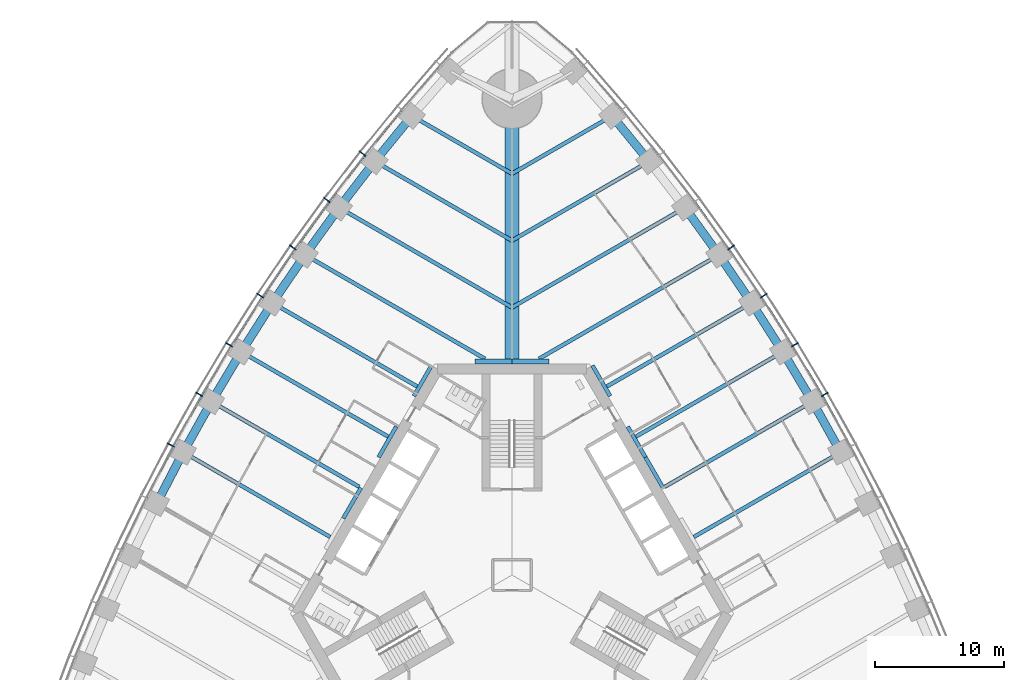
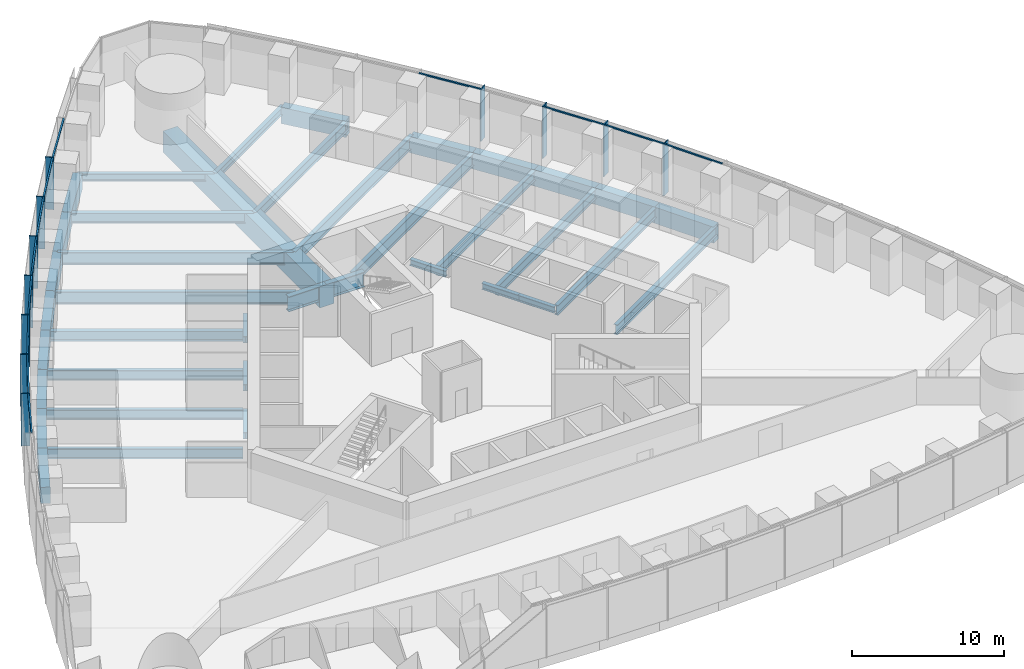
# One storey, part 4 of 18: 39 beams, 23 members, 2 elements without a shape of their own.
"""IFC4 building model written with IfcOpenShell, lengths in metres."""

from ifc_helpers import new_model, si_unit, direction, frame, origin, origin_2d, place, context, subcontext, project, spatial, rectangle, i_section, extrude, material, material_profile, profile_set, type_object, element, aggregate, save


model = new_model("IFC4")

# Units and contexts
model_context = context("Model", 3, precision=1e-05, world=origin(), true_north=direction((0.0, 1.0)))
body_context = subcontext(model_context, "Body", "Model", "MODEL_VIEW")
ifc_project = project(units=[si_unit("LENGTHUNIT", "METRE"), si_unit("AREAUNIT", "SQUARE_METRE"), si_unit("VOLUMEUNIT", "CUBIC_METRE"), si_unit("PLANEANGLEUNIT", "RADIAN"), si_unit("MASSUNIT", "GRAM", prefix="KILO")], contexts=[model_context])

# Site, building, storey
site_placement = place(None, origin())
site = spatial("IfcSite", under=ifc_project, at=site_placement, CompositionType="ELEMENT")
building_placement = place(site_placement, origin())
building = spatial("IfcBuilding", under=site, at=building_placement, Name="Trefoil Bronze Tower", CompositionType="ELEMENT")
storey_placement = place(building_placement, frame((0.0, 0.0, 33.300048828125)))
storey = spatial("IfcBuildingStorey", under=building, at=storey_placement, Name="L07", CompositionType="ELEMENT", Elevation=33.300048828125)

# Curtain wall, members
ifc_material_1 = material(Name="Tinted solar-control glass", Category="glass")
curtain_wall_type = type_object("IfcCurtainWallType", Name="Bronze office curtain wall", PredefinedType="USERDEFINED", material=ifc_material_1)
curtain_wall_1_placement = place(storey_placement, origin())
curtain_wall_1 = element("IfcCurtainWall", 1, at=curtain_wall_1_placement, inside=storey, type_object=curtain_wall_type, Name="CW-A L07 F2", ObjectType="CURTAIN WALL", PredefinedType="USERDEFINED")
ifc_material_2 = material(Name="Bronze-finish aluminium", Category="aluminium")
ifc_material_profile_1 = material_profile(ifc_material_2, rectangle(XDim=0.60009765625, YDim=0.080078125, at=origin_2d()), Name="CW-A mullion")
ifc_profile_set_1 = profile_set([ifc_material_profile_1], Name="Bronze-finish aluminium")
member_type_1 = type_object("IfcMemberType", Name="Bronze office curtain wall mullion", PredefinedType="MULLION", material=ifc_profile_set_1)
member_1_placement = place(storey_placement, frame((24.291015625, 14.0244140625, 0.0), z_axis=(0.0, 0.0, 1.0), x_axis=(-0.866025403784, -0.5, 0.0)))
member_1 = element("IfcMember", 2, at=member_1_placement, type_object=member_type_1, Name="CW-A L07 F2 mullion 9", PredefinedType="MULLION", context=body_context, shape_type="SweptSolid", body=[
    extrude(rectangle(XDim=0.60009765625, YDim=0.080078125, at=origin_2d()), origin(), (0.0, 0.0, 1.0), 4.179931640625),
])
member_2_placement = place(storey_placement, frame((21.97998046875, 17.896240234375, 0.0), z_axis=(0.0, 0.0, 1.0), x_axis=(-0.851149783004, -0.524922896141, 0.0)))
member_2 = element("IfcMember", 3, at=member_2_placement, type_object=member_type_1, Name="CW-A L07 F2 mullion 10", PredefinedType="MULLION", context=body_context, shape_type="SweptSolid", body=[
    extrude(rectangle(XDim=0.60009765625, YDim=0.080078125, at=origin_2d()), origin(), (0.0, 0.0, 1.0), 4.179931640625),
])
member_3_placement = place(storey_placement, frame((19.555419921875, 21.70263671875, 0.0), z_axis=(0.0, 0.0, 1.0), x_axis=(-0.835543651684, -0.549424067665, 0.0)))
member_3 = element("IfcMember", 4, at=member_3_placement, type_object=member_type_1, Name="CW-A L07 F2 mullion 11", PredefinedType="MULLION", context=body_context, shape_type="SweptSolid", body=[
    extrude(rectangle(XDim=0.60009765625, YDim=0.080078125, at=origin_2d()), origin(), (0.0, 0.0, 1.0), 4.179931640625),
])
member_4_placement = place(storey_placement, frame((17.01708984375, 25.443359375, 0.0), z_axis=(0.0, 0.0, 1.0), x_axis=(-0.819204207116, -0.573501932903, 0.0)))
member_4 = element("IfcMember", 5, at=member_4_placement, type_object=member_type_1, Name="CW-A L07 F2 mullion 12", PredefinedType="MULLION", context=body_context, shape_type="SweptSolid", body=[
    extrude(rectangle(XDim=0.60009765625, YDim=0.080078125, at=origin_2d()), origin(), (0.0, 0.0, 1.0), 4.179931640625),
])

curtain_wall_2_placement = place(storey_placement, origin())
curtain_wall_2 = element("IfcCurtainWall", 6, at=curtain_wall_2_placement, inside=storey, type_object=curtain_wall_type, Name="CW-A L07 F3", ObjectType="CURTAIN WALL", PredefinedType="USERDEFINED")
member_5_placement = place(storey_placement, frame((-11.595458984375, 32.7255859375, 0.0), z_axis=(0.0, 0.0, 1.0), x_axis=(0.784304615744, -0.620375910011, 0.0)))
member_5 = element("IfcMember", 7, at=member_5_placement, type_object=member_type_1, Name="CW-A L07 F3 mullion 4", PredefinedType="MULLION", context=body_context, shape_type="SweptSolid", body=[
    extrude(rectangle(XDim=0.60009765625, YDim=0.080078125, at=origin_2d()), origin(), (0.0, 0.0, 1.0), 4.179931640625),
])
member_6_placement = place(storey_placement, frame((-14.364013671875, 29.117919921875, 0.0), z_axis=(0.0, 0.0, 1.0), x_axis=(0.802126748469, -0.59715381552, 0.0)))
member_6 = element("IfcMember", 8, at=member_6_placement, type_object=member_type_1, Name="CW-A L07 F3 mullion 5", PredefinedType="MULLION", context=body_context, shape_type="SweptSolid", body=[
    extrude(rectangle(XDim=0.60009765625, YDim=0.080078125, at=origin_2d()), origin(), (0.0, 0.0, 1.0), 4.179931640625),
])
member_7_placement = place(storey_placement, frame((-17.01708984375, 25.443359375, 0.0), z_axis=(0.0, 0.0, 1.0), x_axis=(0.819204207116, -0.573501932903, 0.0)))
member_7 = element("IfcMember", 9, at=member_7_placement, type_object=member_type_1, Name="CW-A L07 F3 mullion 6", PredefinedType="MULLION", context=body_context, shape_type="SweptSolid", body=[
    extrude(rectangle(XDim=0.60009765625, YDim=0.080078125, at=origin_2d()), origin(), (0.0, 0.0, 1.0), 4.179931640625),
])
member_8_placement = place(storey_placement, frame((-19.555419921875, 21.70263671875, 0.0), z_axis=(0.0, 0.0, 1.0), x_axis=(0.835543651684, -0.549424067665, 0.0)))
member_8 = element("IfcMember", 10, at=member_8_placement, type_object=member_type_1, Name="CW-A L07 F3 mullion 7", PredefinedType="MULLION", context=body_context, shape_type="SweptSolid", body=[
    extrude(rectangle(XDim=0.60009765625, YDim=0.080078125, at=origin_2d()), origin(), (0.0, 0.0, 1.0), 4.179931640625),
])
member_9_placement = place(storey_placement, frame((-21.97998046875, 17.896240234375, 0.0), z_axis=(0.0, 0.0, 1.0), x_axis=(0.851149783004, -0.524922896141, 0.0)))
member_9 = element("IfcMember", 11, at=member_9_placement, type_object=member_type_1, Name="CW-A L07 F3 mullion 8", PredefinedType="MULLION", context=body_context, shape_type="SweptSolid", body=[
    extrude(rectangle(XDim=0.60009765625, YDim=0.080078125, at=origin_2d()), origin(), (0.0, 0.0, 1.0), 4.179931640625),
])
member_10_placement = place(storey_placement, frame((-24.291015625, 14.0244140625, 0.0), z_axis=(0.0, 0.0, 1.0), x_axis=(0.866025403784, -0.5, 0.0)))
member_10 = element("IfcMember", 12, at=member_10_placement, type_object=member_type_1, Name="CW-A L07 F3 mullion 9", PredefinedType="MULLION", context=body_context, shape_type="SweptSolid", body=[
    extrude(rectangle(XDim=0.60009765625, YDim=0.080078125, at=origin_2d()), origin(), (0.0, 0.0, 1.0), 4.179931640625),
])
member_11_placement = place(storey_placement, frame((-26.488525390625, 10.0869140625, 0.0), z_axis=(0.0, 0.0, 1.0), x_axis=(0.880171454588, -0.474655886437, 0.0)))
member_11 = element("IfcMember", 13, at=member_11_placement, type_object=member_type_1, Name="CW-A L07 F3 mullion 10", PredefinedType="MULLION", context=body_context, shape_type="SweptSolid", body=[
    extrude(rectangle(XDim=0.60009765625, YDim=0.080078125, at=origin_2d()), origin(), (0.0, 0.0, 1.0), 4.179931640625),
])

# Member
ifc_material_3 = material(Name="Bronze-finish aluminium", Category="aluminium")
ifc_material_profile_2 = material_profile(ifc_material_3, rectangle(XDim=0.1201171875, YDim=0.10009765625, at=origin_2d()), Name="CW-A transom")
ifc_profile_set_2 = profile_set([ifc_material_profile_2], Name="Bronze-finish aluminium")
member_type_2 = type_object("IfcMemberType", Name="Bronze office curtain wall transom", PredefinedType="USERDEFINED", material=ifc_profile_set_2)
member_12_placement = place(storey_placement, frame((26.29248046875, 10.0283203125, 4.1298828125), z_axis=(-0.487400435348, 0.873178570295, 0.0), x_axis=(-0.873178570295, -0.487400435348, 0.0)))
member_12 = element("IfcMember", 14, at=member_12_placement, type_object=member_type_2, Name="CW-A L07 F2 transom 8", ObjectType="TRANSOM", PredefinedType="USERDEFINED", context=body_context, shape_type="SweptSolid", body=[
    extrude(rectangle(XDim=0.1201171875, YDim=0.10009765625, at=origin_2d()), origin(), (0.0, 0.0, 1.0), 4.42041015625),
])

member_13_placement = place(storey_placement, frame((24.096435546875, 13.9599609375, 4.1298828125), z_axis=(-0.512536988879, 0.858665147209, 0.0), x_axis=(-0.858665147209, -0.512536988879, 0.0)))
member_13 = element("IfcMember", 15, at=member_13_placement, type_object=member_type_2, Name="CW-A L07 F2 transom 9", ObjectType="TRANSOM", PredefinedType="USERDEFINED", context=body_context, shape_type="SweptSolid", body=[
    extrude(rectangle(XDim=0.1201171875, YDim=0.10009765625, at=origin_2d()), origin(), (0.0, 0.0, 1.0), 4.42041015625),
])

member_14_placement = place(storey_placement, frame((21.787353515625, 17.826171875, 4.1298828125), z_axis=(-0.537196807268, 0.843456928515, 0.0), x_axis=(-0.843456928515, -0.537196807268, 0.0)))
member_14 = element("IfcMember", 16, at=member_14_placement, type_object=member_type_2, Name="CW-A L07 F2 transom 10", ObjectType="TRANSOM", PredefinedType="USERDEFINED", context=body_context, shape_type="SweptSolid", body=[
    extrude(rectangle(XDim=0.1201171875, YDim=0.10009765625, at=origin_2d()), origin(), (0.0, 0.0, 1.0), 4.42431640625),
])

member_15_placement = place(storey_placement, frame((16.828857421875, 25.3623046875, 4.1298828125), z_axis=(-0.585378207433, 0.81076035563, 0.0), x_axis=(-0.81076035563, -0.585378207433, 0.0)))
member_15 = element("IfcMember", 17, at=member_15_placement, type_object=member_type_2, Name="CW-A L07 F2 transom 12", ObjectType="TRANSOM", PredefinedType="USERDEFINED", context=body_context, shape_type="SweptSolid", body=[
    extrude(rectangle(XDim=0.1201171875, YDim=0.10009765625, at=origin_2d()), origin(), (0.0, 0.0, 1.0), 4.443359375),
])

aggregate(curtain_wall_1, [member_1, member_2, member_3, member_4, member_12, member_13, member_14, member_15])

member_16_placement = place(storey_placement, frame((-8.582763671875, 36.10498046875, 4.1298828125), z_axis=(-0.631835540201, -0.775102477185, 0.0), x_axis=(0.775102477185, -0.631835540201, 0.0)))
member_16 = element("IfcMember", 18, at=member_16_placement, type_object=member_type_2, Name="CW-A L07 F3 transom 3", ObjectType="TRANSOM", PredefinedType="USERDEFINED", context=body_context, shape_type="SweptSolid", body=[
    extrude(rectangle(XDim=0.1201171875, YDim=0.10009765625, at=origin_2d()), origin(), (0.0, 0.0, 1.0), 4.478271484375),
])

member_17_placement = place(storey_placement, frame((-11.4638671875, 32.568603515625, 4.1298828125), z_axis=(-0.608829203216, -0.793301330713, 0.0), x_axis=(0.793301330713, -0.608829203216, 0.0)))
member_17 = element("IfcMember", 19, at=member_17_placement, type_object=member_type_2, Name="CW-A L07 F3 transom 4", ObjectType="TRANSOM", PredefinedType="USERDEFINED", context=body_context, shape_type="SweptSolid", body=[
    extrude(rectangle(XDim=0.1201171875, YDim=0.10009765625, at=origin_2d()), origin(), (0.0, 0.0, 1.0), 4.458740234375),
])

member_18_placement = place(storey_placement, frame((-14.227783203125, 28.96484375, 4.1298828125), z_axis=(-0.585378207433, -0.81076035563, 0.0), x_axis=(0.81076035563, -0.585378207433, 0.0)))
member_18 = element("IfcMember", 20, at=member_18_placement, type_object=member_type_2, Name="CW-A L07 F3 transom 5", ObjectType="TRANSOM", PredefinedType="USERDEFINED", context=body_context, shape_type="SweptSolid", body=[
    extrude(rectangle(XDim=0.1201171875, YDim=0.10009765625, at=origin_2d()), origin(), (0.0, 0.0, 1.0), 4.443359375),
])

member_19_placement = place(storey_placement, frame((-16.87646484375, 25.29443359375, 4.1298828125), z_axis=(-0.561508153923, -0.827471203775, 0.0), x_axis=(0.827471203775, -0.561508153923, 0.0)))
member_19 = element("IfcMember", 21, at=member_19_placement, type_object=member_type_2, Name="CW-A L07 F3 transom 6", ObjectType="TRANSOM", PredefinedType="USERDEFINED", context=body_context, shape_type="SweptSolid", body=[
    extrude(rectangle(XDim=0.1201171875, YDim=0.10009765625, at=origin_2d()), origin(), (0.0, 0.0, 1.0), 4.431884765625),
])

member_20_placement = place(storey_placement, frame((-19.41064453125, 21.557861328125, 4.1298828125), z_axis=(-0.537196807268, -0.843456928515, 0.0), x_axis=(0.843456928515, -0.537196807268, 0.0)))
member_20 = element("IfcMember", 22, at=member_20_placement, type_object=member_type_2, Name="CW-A L07 F3 transom 7", ObjectType="TRANSOM", PredefinedType="USERDEFINED", context=body_context, shape_type="SweptSolid", body=[
    extrude(rectangle(XDim=0.1201171875, YDim=0.10009765625, at=origin_2d()), origin(), (0.0, 0.0, 1.0), 4.42431640625),
])

member_21_placement = place(storey_placement, frame((-21.830810546875, 17.755615234375, 4.1298828125), z_axis=(-0.512536988879, -0.858665147209, 0.0), x_axis=(0.858665147209, -0.512536988879, 0.0)))
member_21 = element("IfcMember", 23, at=member_21_placement, type_object=member_type_2, Name="CW-A L07 F3 transom 8", ObjectType="TRANSOM", PredefinedType="USERDEFINED", context=body_context, shape_type="SweptSolid", body=[
    extrude(rectangle(XDim=0.1201171875, YDim=0.10009765625, at=origin_2d()), origin(), (0.0, 0.0, 1.0), 4.42041015625),
])

member_22_placement = place(storey_placement, frame((-24.137939453125, 13.88818359375, 4.1298828125), z_axis=(-0.487400435348, -0.873178570295, 0.0), x_axis=(0.873178570295, -0.487400435348, 0.0)))
member_22 = element("IfcMember", 24, at=member_22_placement, type_object=member_type_2, Name="CW-A L07 F3 transom 9", ObjectType="TRANSOM", PredefinedType="USERDEFINED", context=body_context, shape_type="SweptSolid", body=[
    extrude(rectangle(XDim=0.1201171875, YDim=0.10009765625, at=origin_2d()), origin(), (0.0, 0.0, 1.0), 4.42041015625),
])

member_23_placement = place(storey_placement, frame((-26.331787109375, 9.955322265625, 4.1298828125), z_axis=(-0.461809621225, -0.886979071762, 0.0), x_axis=(0.886979071762, -0.461809621225, 0.0)))
member_23 = element("IfcMember", 25, at=member_23_placement, type_object=member_type_2, Name="CW-A L07 F3 transom 10", ObjectType="TRANSOM", PredefinedType="USERDEFINED", context=body_context, shape_type="SweptSolid", body=[
    extrude(rectangle(XDim=0.1201171875, YDim=0.10009765625, at=origin_2d()), origin(), (0.0, 0.0, 1.0), 4.42431640625),
])

aggregate(curtain_wall_2, [member_5, member_6, member_7, member_8, member_9, member_10, member_11, member_16, member_17, member_18, member_19, member_20, member_21, member_22, member_23])

# Beams
ifc_material_4 = material(Name="Steel C355", Category="steel")
ifc_material_profile_3 = material_profile(ifc_material_4, i_section(OverallWidth=0.300048828125, OverallDepth=0.5, WebThickness=0.014404296875, FlangeThickness=0.028076171875, FilletRadius=0.027099609375, at=origin_2d()), Name="HEB 500")
ifc_profile_set_3 = profile_set([ifc_material_profile_3], Name="Steel C355")
beam_type_1 = type_object("IfcBeamType", Name="Core seat beam HEB 500", PredefinedType="BEAM", material=ifc_profile_set_3)
for number, where, z_axis, x_axis, name in (
    (26, (11.734619140625, 6.77490234375, -0.449951171875), (-0.499969057507, 0.866043267704, 0.0), (-0.866043267704, -0.499969057507, 0.0), "Core seat beam F2/+0 L07"),
    (27, (10.363525390625, 9.14990234375, -0.449951171875), (-0.500035825175, 0.866004719122, 0.0), (-0.866004719122, -0.500035825175, 0.0), "Core seat beam F2/+1 L07"),
    (28, (7.62109375, 13.89990234375, -0.449951171875), (-0.500035825175, 0.866004719122, 0.0), (-0.866004719122, -0.500035825175, 0.0), "Core seat beam F2/+2 L07"),
    (29, (-6.249755859375, 16.27490234375, -0.449951171875), (-0.500035825175, -0.866004719122, 0.0), (0.866004719122, -0.500035825175, 0.0), "Core seat beam F3/-2 L07"),
    (30, (-8.9921875, 11.52490234375, -0.449951171875), (-0.500035825175, -0.866004719122, 0.0), (0.866004719122, -0.500035825175, 0.0), "Core seat beam F3/-1 L07"),
    (31, (-11.734619140625, 6.77490234375, -0.449951171875), (-0.500035825175, -0.866004719122, 0.0), (0.866004719122, -0.500035825175, 0.0), "Core seat beam F3/+0 L07"),
):
    element("IfcBeam", number, at=place(storey_placement, frame(where, z_axis=z_axis, x_axis=x_axis)), inside=storey, type_object=beam_type_1, Name=name, PredefinedType="BEAM", context=body_context, shape_type="SweptSolid", body=[
        extrude(i_section(OverallWidth=0.300048828125, OverallDepth=0.5, WebThickness=0.014404296875, FlangeThickness=0.028076171875, FilletRadius=0.027099609375, at=origin_2d()), origin(), (0.0, 0.0, 1.0), 2.742431640625),
    ])
ifc_material_5 = material(Name="Steel C355", Category="steel")
ifc_material_profile_4 = material_profile(ifc_material_5, i_section(OverallWidth=0.39990234375, OverallDepth=1.199951171875, WebThickness=0.02001953125, FlangeThickness=0.0400390625, FilletRadius=0.010009765625, at=origin_2d()), Name="WPG 1200")
ifc_profile_set_4 = profile_set([ifc_material_profile_4], Name="Steel C355")
beam_type_2 = type_object("IfcBeamType", Name="Core seat beam WPG 1200", PredefinedType="BEAM", material=ifc_profile_set_4)
for number, where, z_axis, x_axis, name in (
    (32, (2.88671875, 16.60009765625, -0.800048828125), (-1.0, 0.0, 0.0), (0.0, -1.0, 0.0), "Core seat beam F2/+3 L07"),
    (33, (0.0, 16.60009765625, -0.800048828125), (-1.0, 0.0, 0.0), (0.0, -1.0, 0.0), "Core seat beam F3/-3 L07"),
):
    element("IfcBeam", number, at=place(storey_placement, frame(where, z_axis=z_axis, x_axis=x_axis)), inside=storey, type_object=beam_type_2, Name=name, PredefinedType="BEAM", context=body_context, shape_type="SweptSolid", body=[
        extrude(i_section(OverallWidth=0.39990234375, OverallDepth=1.199951171875, WebThickness=0.02001953125, FlangeThickness=0.0400390625, FilletRadius=0.010009765625, at=origin_2d()), origin(), (0.0, 0.0, 1.0), 2.88671875),
    ])
ifc_material_6 = material(Name="Concrete B80", Category="concrete")
ifc_material_profile_5 = material_profile(ifc_material_6, rectangle(XDim=1.10009765625, YDim=1.699951171875, at=origin_2d()), Name="RC 1100x1700")
ifc_profile_set_5 = profile_set([ifc_material_profile_5], Name="Concrete B80")
beam_type_3 = type_object("IfcBeamType", Name="Corner girder RC 1100x1700", PredefinedType="BEAM", material=ifc_profile_set_5)
beam_1_placement = place(storey_placement, frame((0.0, 16.39990234375, -1.050048828125), z_axis=(0.0, 1.0, 0.0), x_axis=(-1.0, 0.0, 0.0)))
element("IfcBeam", 34, at=beam_1_placement, inside=storey, type_object=beam_type_3, Name="Corner girder K2 L07", PredefinedType="BEAM", context=body_context, shape_type="SweptSolid", body=[
    extrude(rectangle(XDim=1.10009765625, YDim=1.699951171875, at=origin_2d()), origin(), (0.0, 0.0, 1.0), 20.60009765625),
])
ifc_material_7 = material(Name="Steel C355", Category="steel")
ifc_material_profile_6 = material_profile(ifc_material_7, i_section(OverallWidth=0.300048828125, OverallDepth=0.590087890625, WebThickness=0.012939453125, FlangeThickness=0.02490234375, FilletRadius=0.027099609375, at=origin_2d()), Name="HEA 600")
ifc_profile_set_6 = profile_set([ifc_material_profile_6], Name="Steel C355")
beam_type_4 = type_object("IfcBeamType", Name="Floor beam HEA 600", PredefinedType="BEAM", material=ifc_profile_set_6)
for number, where, z_axis, x_axis, name in (
    (35, (7.7763671875, 35.666748046875, -0.4951171875), (-0.866022587327, -0.500004878216, 0.0), (0.500004878216, -0.866022587327, 0.0), "Floor beam F2/+6 L07"),
    (36, (-7.7763671875, 35.666748046875, -0.4951171875), (0.866022587327, -0.500004878216, 0.0), (0.500004878216, 0.866022587327, 0.0), "Floor beam F3/-6 L07"),
):
    element("IfcBeam", number, at=place(storey_placement, frame(where, z_axis=z_axis, x_axis=x_axis)), inside=storey, type_object=beam_type_4, Name=name, PredefinedType="BEAM", context=body_context, shape_type="SweptSolid", body=[
        extrude(i_section(OverallWidth=0.300048828125, OverallDepth=0.590087890625, WebThickness=0.012939453125, FlangeThickness=0.02490234375, FilletRadius=0.027099609375, at=origin_2d()), origin(), (0.0, 0.0, 1.0), 8.9794921875),
    ])
ifc_material_8 = material(Name="Steel C355", Category="steel")
ifc_material_profile_7 = material_profile(ifc_material_8, i_section(OverallWidth=0.300048828125, OverallDepth=1.0, WebThickness=0.01904296875, FlangeThickness=0.035888671875, FilletRadius=0.030029296875, at=origin_2d()), Name="HEB 1000")
ifc_profile_set_7 = profile_set([ifc_material_profile_7], Name="Steel C355")
beam_type_5 = type_object("IfcBeamType", Name="Floor beam HEB 1000", PredefinedType="BEAM", material=ifc_profile_set_7)
for number, where, z_axis, x_axis, name in (
    (37, (13.42578125, 28.5361328125, -0.699951171875), (-0.866022989816, -0.500004181093, 0.0), (0.500004181093, -0.866022989816, 0.0), "Floor beam F2/+4 L07"),
    (38, (-13.42578125, 28.5361328125, -0.699951171875), (0.866022989816, -0.500004181093, 0.0), (0.500004181093, 0.866022989816, 0.0), "Floor beam F3/-4 L07"),
):
    element("IfcBeam", number, at=place(storey_placement, frame(where, z_axis=z_axis, x_axis=x_axis)), inside=storey, type_object=beam_type_5, Name=name, PredefinedType="BEAM", context=body_context, shape_type="SweptSolid", body=[
        extrude(i_section(OverallWidth=0.300048828125, OverallDepth=1.0, WebThickness=0.01904296875, FlangeThickness=0.035888671875, FilletRadius=0.030029296875, at=origin_2d()), origin(), (0.0, 0.0, 1.0), 15.502685546875),
    ])
ifc_material_9 = material(Name="Steel C355", Category="steel")
ifc_material_profile_8 = material_profile(ifc_material_9, i_section(OverallWidth=0.300048828125, OverallDepth=0.800048828125, WebThickness=0.017578125, FlangeThickness=0.032958984375, FilletRadius=0.030029296875, at=origin_2d()), Name="HEB 800")
ifc_profile_set_8 = profile_set([ifc_material_profile_8], Name="Steel C355")
beam_type_6 = type_object("IfcBeamType", Name="Floor beam HEB 800", PredefinedType="BEAM", material=ifc_profile_set_8)
beam_2_placement = place(storey_placement, frame((25.531494140625, 9.54443359375, -0.60009765625), z_axis=(-0.866027071639, -0.499997111179, 0.0), x_axis=(0.499997111179, -0.866027071639, 0.0)))
element("IfcBeam", 39, at=beam_2_placement, inside=storey, type_object=beam_type_6, Name="Floor beam F2/-1 L07", PredefinedType="BEAM", context=body_context, shape_type="SweptSolid", body=[
    extrude(i_section(OverallWidth=0.300048828125, OverallDepth=0.800048828125, WebThickness=0.017578125, FlangeThickness=0.032958984375, FilletRadius=0.030029296875, at=origin_2d()), origin(), (0.0, 0.0, 1.0), 13.18310546875),
])
beam_3_placement = place(storey_placement, frame((23.33837890625, 13.474365234375, -0.60009765625), z_axis=(-0.866031233401, -0.499989902672, 0.0), x_axis=(0.499989902672, -0.866031233401, 0.0)))
element("IfcBeam", 40, at=beam_3_placement, inside=storey, type_object=beam_type_6, Name="Floor beam F2/+0 L07", PredefinedType="BEAM", context=body_context, shape_type="SweptSolid", body=[
    extrude(i_section(OverallWidth=0.300048828125, OverallDepth=0.800048828125, WebThickness=0.017578125, FlangeThickness=0.032958984375, FilletRadius=0.030029296875, at=origin_2d()), origin(), (0.0, 0.0, 1.0), 13.248779296875),
])
beam_4_placement = place(storey_placement, frame((21.031494140625, 17.338623046875, -0.60009765625), z_axis=(-0.866027071639, -0.499997111179, 0.0), x_axis=(0.499997111179, -0.866027071639, 0.0)))
element("IfcBeam", 41, at=beam_4_placement, inside=storey, type_object=beam_type_6, Name="Floor beam F2/+1 L07", PredefinedType="BEAM", context=body_context, shape_type="SweptSolid", body=[
    extrude(i_section(OverallWidth=0.300048828125, OverallDepth=0.800048828125, WebThickness=0.017578125, FlangeThickness=0.032958984375, FilletRadius=0.030029296875, at=origin_2d()), origin(), (0.0, 0.0, 1.0), 13.18310546875),
])
beam_5_placement = place(storey_placement, frame((18.61083984375, 21.13720703125, -0.60009765625), z_axis=(-0.866030615021, -0.499990973765, 0.0), x_axis=(0.499990973765, -0.866030615021, 0.0)))
element("IfcBeam", 42, at=beam_5_placement, inside=storey, type_object=beam_type_6, Name="Floor beam F2/+2 L07", PredefinedType="BEAM", context=body_context, shape_type="SweptSolid", body=[
    extrude(i_section(OverallWidth=0.300048828125, OverallDepth=0.800048828125, WebThickness=0.017578125, FlangeThickness=0.032958984375, FilletRadius=0.030029296875, at=origin_2d()), origin(), (0.0, 0.0, 1.0), 12.986083984375),
])
for number, where, z_axis, x_axis, name in (
    (43, (10.659912109375, 32.13525390625, -0.60009765625), (-0.866024070878, -0.500002308654, 0.0), (0.500002308654, -0.866024070878, 0.0), "Floor beam F2/+5 L07"),
    (44, (-10.659912109375, 32.13525390625, -0.60009765625), (0.866024070878, -0.500002308654, 0.0), (0.500002308654, 0.866024070878, 0.0), "Floor beam F3/-5 L07"),
):
    element("IfcBeam", number, at=place(storey_placement, frame(where, z_axis=z_axis, x_axis=x_axis)), inside=storey, type_object=beam_type_6, Name=name, PredefinedType="BEAM", context=body_context, shape_type="SweptSolid", body=[
        extrude(i_section(OverallWidth=0.300048828125, OverallDepth=0.800048828125, WebThickness=0.017578125, FlangeThickness=0.032958984375, FilletRadius=0.030029296875, at=origin_2d()), origin(), (0.0, 0.0, 1.0), 12.30908203125),
    ])
beam_6_placement = place(storey_placement, frame((-18.61083984375, 21.13720703125, -0.60009765625), z_axis=(0.866030615021, -0.499990973765, 0.0), x_axis=(0.499990973765, 0.866030615021, 0.0)))
element("IfcBeam", 45, at=beam_6_placement, inside=storey, type_object=beam_type_6, Name="Floor beam F3/-2 L07", PredefinedType="BEAM", context=body_context, shape_type="SweptSolid", body=[
    extrude(i_section(OverallWidth=0.300048828125, OverallDepth=0.800048828125, WebThickness=0.017578125, FlangeThickness=0.032958984375, FilletRadius=0.030029296875, at=origin_2d()), origin(), (0.0, 0.0, 1.0), 12.986083984375),
])
beam_7_placement = place(storey_placement, frame((-21.031494140625, 17.338623046875, -0.60009765625), z_axis=(0.866027071639, -0.499997111179, 0.0), x_axis=(0.499997111179, 0.866027071639, 0.0)))
element("IfcBeam", 46, at=beam_7_placement, inside=storey, type_object=beam_type_6, Name="Floor beam F3/-1 L07", PredefinedType="BEAM", context=body_context, shape_type="SweptSolid", body=[
    extrude(i_section(OverallWidth=0.300048828125, OverallDepth=0.800048828125, WebThickness=0.017578125, FlangeThickness=0.032958984375, FilletRadius=0.030029296875, at=origin_2d()), origin(), (0.0, 0.0, 1.0), 13.18310546875),
])
beam_8_placement = place(storey_placement, frame((-23.33837890625, 13.474365234375, -0.60009765625), z_axis=(0.866031233401, -0.499989902672, 0.0), x_axis=(0.499989902672, 0.866031233401, 0.0)))
element("IfcBeam", 47, at=beam_8_placement, inside=storey, type_object=beam_type_6, Name="Floor beam F3/+0 L07", PredefinedType="BEAM", context=body_context, shape_type="SweptSolid", body=[
    extrude(i_section(OverallWidth=0.300048828125, OverallDepth=0.800048828125, WebThickness=0.017578125, FlangeThickness=0.032958984375, FilletRadius=0.030029296875, at=origin_2d()), origin(), (0.0, 0.0, 1.0), 13.248779296875),
])
beam_9_placement = place(storey_placement, frame((-25.531494140625, 9.54443359375, -0.60009765625), z_axis=(0.866027071639, -0.499997111179, 0.0), x_axis=(0.499997111179, 0.866027071639, 0.0)))
element("IfcBeam", 48, at=beam_9_placement, inside=storey, type_object=beam_type_6, Name="Floor beam F3/+1 L07", PredefinedType="BEAM", context=body_context, shape_type="SweptSolid", body=[
    extrude(i_section(OverallWidth=0.300048828125, OverallDepth=0.800048828125, WebThickness=0.017578125, FlangeThickness=0.032958984375, FilletRadius=0.030029296875, at=origin_2d()), origin(), (0.0, 0.0, 1.0), 13.18310546875),
])
ifc_material_10 = material(Name="Steel C355", Category="steel")
ifc_material_profile_9 = material_profile(ifc_material_10, i_section(OverallWidth=0.302001953125, OverallDepth=1.008056640625, WebThickness=0.02099609375, FlangeThickness=0.0400390625, FilletRadius=0.030029296875, at=origin_2d()), Name="HEM 1000")
ifc_profile_set_9 = profile_set([ifc_material_profile_9], Name="Steel C355")
beam_type_7 = type_object("IfcBeamType", Name="Floor beam HEM 1000", PredefinedType="BEAM", material=ifc_profile_set_9)
for number, where, z_axis, x_axis, name in (
    (49, (16.075927734375, 24.869873046875, -0.7041015625), (-0.866028401131, -0.499994808408, 0.0), (0.499994808408, -0.866028401131, 0.0), "Floor beam F2/+3 L07"),
    (50, (-16.075927734375, 24.869873046875, -0.7041015625), (0.866028401131, -0.499994808408, 0.0), (0.499994808408, 0.866028401131, 0.0), "Floor beam F3/-3 L07"),
):
    element("IfcBeam", number, at=place(storey_placement, frame(where, z_axis=z_axis, x_axis=x_axis)), inside=storey, type_object=beam_type_7, Name=name, PredefinedType="BEAM", context=body_context, shape_type="SweptSolid", body=[
        extrude(i_section(OverallWidth=0.302001953125, OverallDepth=1.008056640625, WebThickness=0.02099609375, FlangeThickness=0.0400390625, FilletRadius=0.030029296875, at=origin_2d()), origin(), (0.0, 0.0, 1.0), 16.139892578125),
    ])
ifc_material_11 = material(Name="Concrete B80", Category="concrete")
ifc_material_profile_10 = material_profile(ifc_material_11, rectangle(XDim=0.64990234375, YDim=1.300048828125, at=origin_2d()), Name="RC 650x1300")
ifc_profile_set_10 = profile_set([ifc_material_profile_10], Name="Concrete B80")
beam_type_8 = type_object("IfcBeamType", Name="Spandrel beam RC 650x1300", PredefinedType="SPANDREL", material=ifc_profile_set_10)
for number, where, z_axis, x_axis, name in (
    (51, (25.531494140625, 9.54443359375, -0.85009765625), (-0.487309404804, 0.873229376504, 0.0), (-0.873229376504, -0.487309404804, 0.0), "Spandrel F2.8 L07"),
    (52, (23.33837890625, 13.474365234375, -0.85009765625), (-0.512587831591, 0.858634797166, 0.0), (-0.858634797166, -0.512587831591, 0.0), "Spandrel F2.9 L07"),
):
    element("IfcBeam", number, at=place(storey_placement, frame(where, z_axis=z_axis, x_axis=x_axis)), inside=storey, type_object=beam_type_8, Name=name, PredefinedType="SPANDREL", context=body_context, shape_type="SweptSolid", body=[
        extrude(rectangle(XDim=0.64990234375, YDim=1.300048828125, at=origin_2d()), origin(), (0.0, 0.0, 1.0), 4.50048828125),
    ])
beam_10_placement = place(storey_placement, frame((21.031494140625, 17.338623046875, -0.85009765625), z_axis=(-0.537408473305, 0.843322081307, 0.0), x_axis=(-0.843322081307, -0.537408473305, 0.0)))
element("IfcBeam", 53, at=beam_10_placement, inside=storey, type_object=beam_type_8, Name="Spandrel F2.10 L07", PredefinedType="SPANDREL", context=body_context, shape_type="SweptSolid", body=[
    extrude(rectangle(XDim=0.64990234375, YDim=1.300048828125, at=origin_2d()), origin(), (0.0, 0.0, 1.0), 4.50439453125),
])
beam_11_placement = place(storey_placement, frame((18.61083984375, 21.13720703125, -0.85009765625), z_axis=(-0.561809680291, 0.827266512758, 0.0), x_axis=(-0.827266512758, -0.561809680291, 0.0)))
element("IfcBeam", 54, at=beam_11_placement, inside=storey, type_object=beam_type_8, Name="Spandrel F2.11 L07", PredefinedType="SPANDREL", context=body_context, shape_type="SweptSolid", body=[
    extrude(rectangle(XDim=0.64990234375, YDim=1.300048828125, at=origin_2d()), origin(), (0.0, 0.0, 1.0), 4.511962890625),
])
beam_12_placement = place(storey_placement, frame((16.075927734375, 24.869873046875, -0.85009765625), z_axis=(-0.585823508301, 0.810438657223, 0.0), x_axis=(-0.810438657223, -0.585823508301, 0.0)))
element("IfcBeam", 55, at=beam_12_placement, inside=storey, type_object=beam_type_8, Name="Spandrel F2.12 L07", PredefinedType="SPANDREL", context=body_context, shape_type="SweptSolid", body=[
    extrude(rectangle(XDim=0.64990234375, YDim=1.300048828125, at=origin_2d()), origin(), (0.0, 0.0, 1.0), 4.523681640625),
])
for number, where, z_axis, x_axis, name in (
    (56, (10.659912109375, 32.13525390625, -0.85009765625), (-0.632467643363, 0.774586780225, 0.0), (-0.774586780225, -0.632467643363, 0.0), "Spandrel F2.14 L07"),
    (57, (-7.7763671875, 35.666748046875, -0.85009765625), (-0.632467643363, -0.774586780225, 0.0), (0.774586780225, -0.632467643363, 0.0), "Spandrel F3.3 L07"),
):
    element("IfcBeam", number, at=place(storey_placement, frame(where, z_axis=z_axis, x_axis=x_axis)), inside=storey, type_object=beam_type_8, Name=name, PredefinedType="SPANDREL", context=body_context, shape_type="SweptSolid", body=[
        extrude(rectangle(XDim=0.64990234375, YDim=1.300048828125, at=origin_2d()), origin(), (0.0, 0.0, 1.0), 4.55908203125),
    ])
beam_13_placement = place(storey_placement, frame((-10.659912109375, 32.13525390625, -0.85009765625), z_axis=(-0.609338992146, -0.792909826305, 0.0), x_axis=(0.792909826305, -0.609338992146, 0.0)))
element("IfcBeam", 58, at=beam_13_placement, inside=storey, type_object=beam_type_8, Name="Spandrel F3.4 L07", PredefinedType="SPANDREL", context=body_context, shape_type="SweptSolid", body=[
    extrude(rectangle(XDim=0.64990234375, YDim=1.300048828125, at=origin_2d()), origin(), (0.0, 0.0, 1.0), 4.5390625),
])
beam_14_placement = place(storey_placement, frame((-13.42578125, 28.5361328125, -0.85009765625), z_axis=(-0.585823508301, -0.810438657223, 0.0), x_axis=(0.810438657223, -0.585823508301, 0.0)))
element("IfcBeam", 59, at=beam_14_placement, inside=storey, type_object=beam_type_8, Name="Spandrel F3.5 L07", PredefinedType="SPANDREL", context=body_context, shape_type="SweptSolid", body=[
    extrude(rectangle(XDim=0.64990234375, YDim=1.300048828125, at=origin_2d()), origin(), (0.0, 0.0, 1.0), 4.523681640625),
])
beam_15_placement = place(storey_placement, frame((-16.075927734375, 24.869873046875, -0.85009765625), z_axis=(-0.561809680291, -0.827266512758, 0.0), x_axis=(0.827266512758, -0.561809680291, 0.0)))
element("IfcBeam", 60, at=beam_15_placement, inside=storey, type_object=beam_type_8, Name="Spandrel F3.6 L07", PredefinedType="SPANDREL", context=body_context, shape_type="SweptSolid", body=[
    extrude(rectangle(XDim=0.64990234375, YDim=1.300048828125, at=origin_2d()), origin(), (0.0, 0.0, 1.0), 4.511962890625),
])
beam_16_placement = place(storey_placement, frame((-18.61083984375, 21.13720703125, -0.85009765625), z_axis=(-0.537408473305, -0.843322081307, 0.0), x_axis=(0.843322081307, -0.537408473305, 0.0)))
element("IfcBeam", 61, at=beam_16_placement, inside=storey, type_object=beam_type_8, Name="Spandrel F3.7 L07", PredefinedType="SPANDREL", context=body_context, shape_type="SweptSolid", body=[
    extrude(rectangle(XDim=0.64990234375, YDim=1.300048828125, at=origin_2d()), origin(), (0.0, 0.0, 1.0), 4.50439453125),
])
for number, where, z_axis, x_axis, name in (
    (62, (-21.031494140625, 17.338623046875, -0.85009765625), (-0.512587831591, -0.858634797166, 0.0), (0.858634797166, -0.512587831591, 0.0), "Spandrel F3.8 L07"),
    (63, (-23.33837890625, 13.474365234375, -0.85009765625), (-0.487309404804, -0.873229376504, 0.0), (0.873229376504, -0.487309404804, 0.0), "Spandrel F3.9 L07"),
):
    element("IfcBeam", number, at=place(storey_placement, frame(where, z_axis=z_axis, x_axis=x_axis)), inside=storey, type_object=beam_type_8, Name=name, PredefinedType="SPANDREL", context=body_context, shape_type="SweptSolid", body=[
        extrude(rectangle(XDim=0.64990234375, YDim=1.300048828125, at=origin_2d()), origin(), (0.0, 0.0, 1.0), 4.50048828125),
    ])
beam_17_placement = place(storey_placement, frame((-25.531494140625, 9.54443359375, -0.85009765625), z_axis=(-0.461637716615, -0.887068553495, 0.0), x_axis=(0.887068553495, -0.461637716615, 0.0)))
element("IfcBeam", 64, at=beam_17_placement, inside=storey, type_object=beam_type_8, Name="Spandrel F3.10 L07", PredefinedType="SPANDREL", context=body_context, shape_type="SweptSolid", body=[
    extrude(rectangle(XDim=0.64990234375, YDim=1.300048828125, at=origin_2d()), origin(), (0.0, 0.0, 1.0), 4.50439453125),
])

save(model, "model.ifc")
